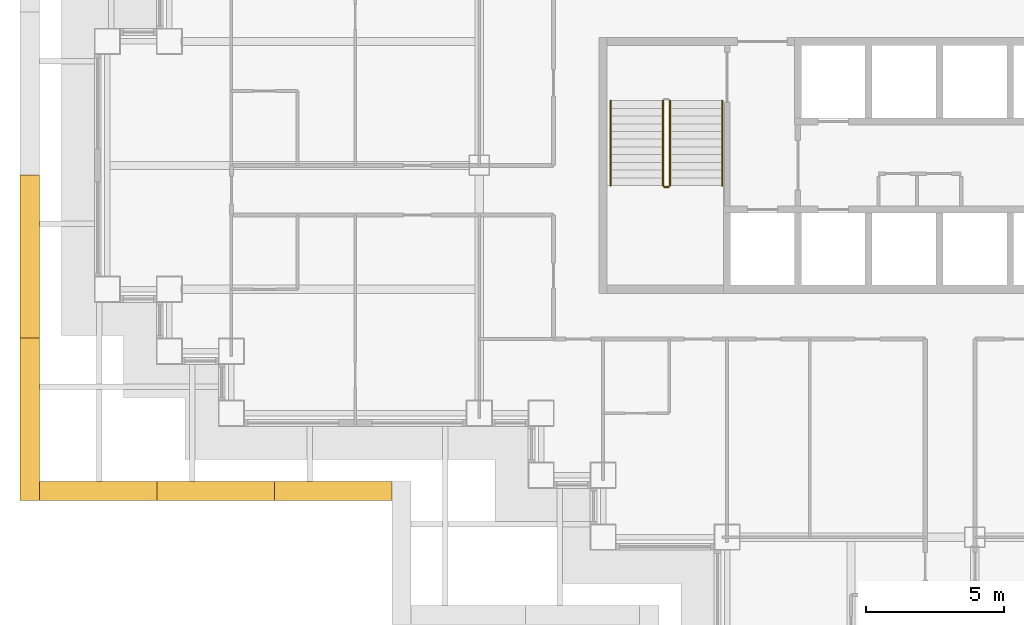
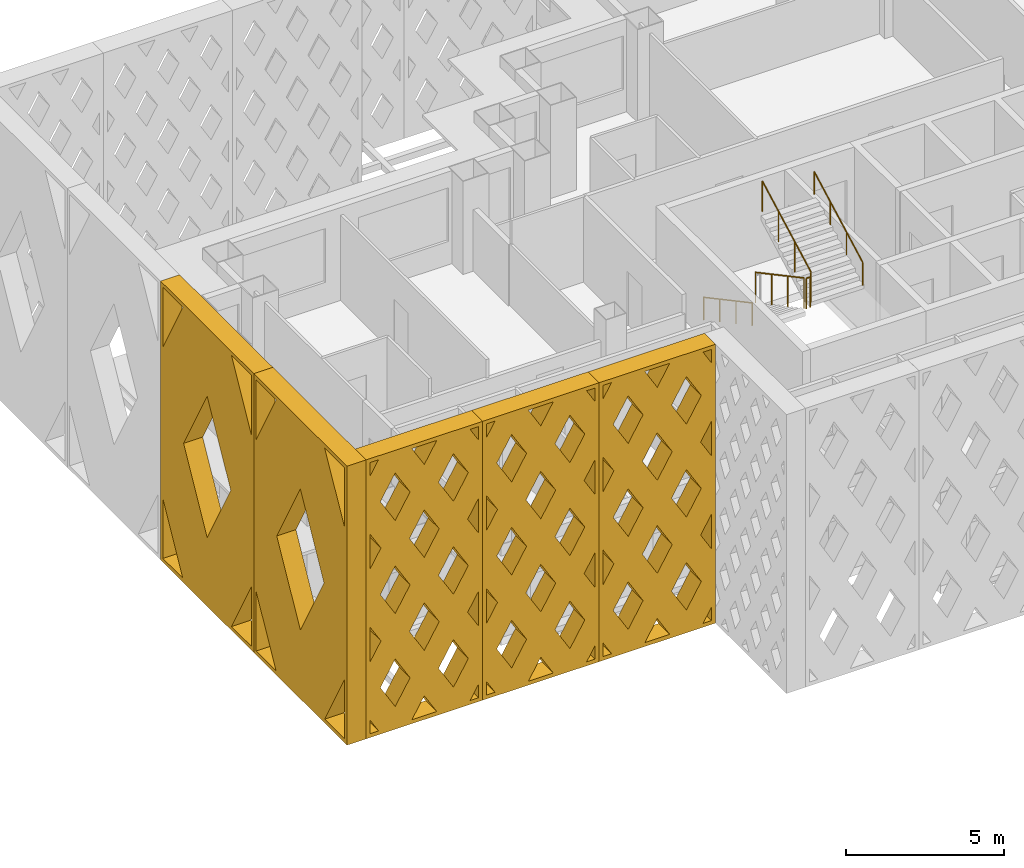
# One storey, part 14 of 19: 5 railings, 5 shading devices.
"""IFC4 building model written with IfcOpenShell, lengths in metres."""

from ifc_helpers import new_model, si_unit, direction, frame, origin, origin_2d, place, context, subcontext, project, spatial, polyline, circle, outline, extrude, material, type_object, element, save


model = new_model("IFC4")

# Units and contexts
model_context = context("Model", 3, precision=1e-05, world=origin(), true_north=direction((0.0, 1.0)))
body_context = subcontext(model_context, "Body", "Model", "MODEL_VIEW")
ifc_project = project(units=[si_unit("LENGTHUNIT", "METRE"), si_unit("AREAUNIT", "SQUARE_METRE"), si_unit("VOLUMEUNIT", "CUBIC_METRE"), si_unit("PLANEANGLEUNIT", "RADIAN"), si_unit("MASSUNIT", "GRAM", prefix="KILO")], contexts=[model_context])

# Site, building, storey
site_placement = place(None, origin())
site = spatial("IfcSite", under=ifc_project, at=site_placement, CompositionType="ELEMENT")
building_placement = place(site_placement, origin())
building = spatial("IfcBuilding", under=site, at=building_placement, Name="Caravel Reach Hotel and Residences", CompositionType="ELEMENT")
storey_placement = place(building_placement, frame((0.0, 0.0, 85.199951171875)))
storey = spatial("IfcBuildingStorey", under=building, at=storey_placement, Name="L20", CompositionType="ELEMENT", Elevation=85.199951171875)

# Shading devices
ifc_material_1 = material(Name="Black powder-coated aluminium", Category="aluminium")
shading_device_type_1 = type_object("IfcShadingDeviceType", Name="Diamond lattice screen panel 4267 x 10800", PredefinedType="USERDEFINED", material=ifc_material_1)
shading_device_1_placement = place(storey_placement, frame((-2.47509765625, 15.52490234375, 0.0), z_axis=(0.0, -1.0, 0.0), x_axis=(1.0, 0.0, 0.0)))
element("IfcShadingDevice", 1, at=shading_device_1_placement, inside=storey, type_object=shading_device_type_1, Name="Lattice screen L20-L22 18.1", ObjectType="SCREEN", PredefinedType="USERDEFINED", context=body_context, shape_type="SweptSolid", body=[
    extrude(outline(polyline([(0.0, 0.0), (4.2666015625, 0.0), (4.2666015625, 10.800048828125), (0.0, 10.800048828125), (0.0, 0.0)]), holes=[polyline([(0.457275390625, 0.14990234375), (0.14990234375, 0.66845703125), (0.14990234375, 0.14990234375), (0.457275390625, 0.14990234375)]), polyline([(0.546142578125, 3.60009765625), (0.14990234375, 4.2685546875), (0.14990234375, 2.931396484375), (0.546142578125, 3.60009765625)]), polyline([(0.546142578125, 7.199951171875), (0.14990234375, 7.868408203125), (0.14990234375, 6.531494140625), (0.546142578125, 7.199951171875)]), polyline([(0.14990234375, 10.131591796875), (0.457275390625, 10.64990234375), (0.14990234375, 10.64990234375), (0.14990234375, 10.131591796875)]), polyline([(1.066650390625, 2.7216796875), (0.5205078125, 1.800048828125), (1.066650390625, 0.87841796875), (1.61279296875, 1.800048828125), (1.066650390625, 2.7216796875)]), polyline([(1.066650390625, 6.321533203125), (0.5205078125, 5.39990234375), (1.066650390625, 4.478271484375), (1.61279296875, 5.39990234375), (1.066650390625, 6.321533203125)]), polyline([(1.066650390625, 9.921630859375), (0.5205078125, 9.0), (1.066650390625, 8.078369140625), (1.61279296875, 9.0), (1.066650390625, 9.921630859375)]), polyline([(2.13330078125, 0.921630859375), (1.676025390625, 0.14990234375), (2.590576171875, 0.14990234375), (2.13330078125, 0.921630859375)]), polyline([(2.13330078125, 4.521728515625), (1.587158203125, 3.60009765625), (2.13330078125, 2.678466796875), (2.679443359375, 3.60009765625), (2.13330078125, 4.521728515625)]), polyline([(2.13330078125, 8.12158203125), (1.587158203125, 7.199951171875), (2.13330078125, 6.2783203125), (2.679443359375, 7.199951171875), (2.13330078125, 8.12158203125)]), polyline([(2.13330078125, 9.87841796875), (2.590576171875, 10.64990234375), (1.676025390625, 10.64990234375), (2.13330078125, 9.87841796875)]), polyline([(3.199951171875, 2.7216796875), (2.65380859375, 1.800048828125), (3.199951171875, 0.87841796875), (3.74609375, 1.800048828125), (3.199951171875, 2.7216796875)]), polyline([(3.199951171875, 6.321533203125), (2.65380859375, 5.39990234375), (3.199951171875, 4.478271484375), (3.74609375, 5.39990234375), (3.199951171875, 6.321533203125)]), polyline([(3.199951171875, 9.921630859375), (2.65380859375, 9.0), (3.199951171875, 8.078369140625), (3.74609375, 9.0), (3.199951171875, 9.921630859375)]), polyline([(4.11669921875, 0.66845703125), (3.809326171875, 0.14990234375), (4.11669921875, 0.14990234375), (4.11669921875, 0.66845703125)]), polyline([(3.720458984375, 3.60009765625), (4.11669921875, 2.931396484375), (4.11669921875, 4.2685546875), (3.720458984375, 3.60009765625)]), polyline([(3.720458984375, 7.199951171875), (4.11669921875, 6.531494140625), (4.11669921875, 7.868408203125), (3.720458984375, 7.199951171875)]), polyline([(3.809326171875, 10.64990234375), (4.11669921875, 10.131591796875), (4.11669921875, 10.64990234375), (3.809326171875, 10.64990234375)])]), origin(), (0.0, 0.0, 1.0), 0.699951171875),
])
shading_device_2_placement = place(storey_placement, frame((1.791748046875, 15.52490234375, 0.0), z_axis=(0.0, -1.0, 0.0), x_axis=(1.0, 0.0, 0.0)))
element("IfcShadingDevice", 2, at=shading_device_2_placement, inside=storey, type_object=shading_device_type_1, Name="Lattice screen L20-L22 18.2", ObjectType="SCREEN", PredefinedType="USERDEFINED", context=body_context, shape_type="SweptSolid", body=[
    extrude(outline(polyline([(0.0, 0.0), (4.2666015625, 0.0), (4.2666015625, 10.800048828125), (0.0, 10.800048828125), (0.0, 0.0)]), holes=[polyline([(0.457275390625, 0.14990234375), (0.14990234375, 0.66845703125), (0.14990234375, 0.14990234375), (0.457275390625, 0.14990234375)]), polyline([(0.546142578125, 3.60009765625), (0.14990234375, 4.2685546875), (0.14990234375, 2.931396484375), (0.546142578125, 3.60009765625)]), polyline([(0.546142578125, 7.199951171875), (0.14990234375, 7.868408203125), (0.14990234375, 6.531494140625), (0.546142578125, 7.199951171875)]), polyline([(0.14990234375, 10.131591796875), (0.457275390625, 10.64990234375), (0.14990234375, 10.64990234375), (0.14990234375, 10.131591796875)]), polyline([(1.066650390625, 2.7216796875), (0.5205078125, 1.800048828125), (1.066650390625, 0.87841796875), (1.61279296875, 1.800048828125), (1.066650390625, 2.7216796875)]), polyline([(1.066650390625, 6.321533203125), (0.5205078125, 5.39990234375), (1.066650390625, 4.478271484375), (1.61279296875, 5.39990234375), (1.066650390625, 6.321533203125)]), polyline([(1.066650390625, 9.921630859375), (0.5205078125, 9.0), (1.066650390625, 8.078369140625), (1.61279296875, 9.0), (1.066650390625, 9.921630859375)]), polyline([(2.13330078125, 0.921630859375), (1.676025390625, 0.14990234375), (2.590576171875, 0.14990234375), (2.13330078125, 0.921630859375)]), polyline([(2.13330078125, 4.521728515625), (1.587158203125, 3.60009765625), (2.13330078125, 2.678466796875), (2.679443359375, 3.60009765625), (2.13330078125, 4.521728515625)]), polyline([(2.13330078125, 8.12158203125), (1.587158203125, 7.199951171875), (2.13330078125, 6.2783203125), (2.679443359375, 7.199951171875), (2.13330078125, 8.12158203125)]), polyline([(2.13330078125, 9.87841796875), (2.590576171875, 10.64990234375), (1.676025390625, 10.64990234375), (2.13330078125, 9.87841796875)]), polyline([(3.199951171875, 2.7216796875), (2.65380859375, 1.800048828125), (3.199951171875, 0.87841796875), (3.74609375, 1.800048828125), (3.199951171875, 2.7216796875)]), polyline([(3.199951171875, 6.321533203125), (2.65380859375, 5.39990234375), (3.199951171875, 4.478271484375), (3.74609375, 5.39990234375), (3.199951171875, 6.321533203125)]), polyline([(3.199951171875, 9.921630859375), (2.65380859375, 9.0), (3.199951171875, 8.078369140625), (3.74609375, 9.0), (3.199951171875, 9.921630859375)]), polyline([(4.11669921875, 0.66845703125), (3.809326171875, 0.14990234375), (4.11669921875, 0.14990234375), (4.11669921875, 0.66845703125)]), polyline([(3.720458984375, 3.60009765625), (4.11669921875, 2.931396484375), (4.11669921875, 4.2685546875), (3.720458984375, 3.60009765625)]), polyline([(3.720458984375, 7.199951171875), (4.11669921875, 6.531494140625), (4.11669921875, 7.868408203125), (3.720458984375, 7.199951171875)]), polyline([(3.809326171875, 10.64990234375), (4.11669921875, 10.131591796875), (4.11669921875, 10.64990234375), (3.809326171875, 10.64990234375)])]), origin(), (0.0, 0.0, 1.0), 0.699951171875),
])
shading_device_3_placement = place(storey_placement, frame((6.058349609375, 15.52490234375, 0.0), z_axis=(0.0, -1.0, 0.0), x_axis=(1.0, 0.0, 0.0)))
element("IfcShadingDevice", 3, at=shading_device_3_placement, inside=storey, type_object=shading_device_type_1, Name="Lattice screen L20-L22 18.3", ObjectType="SCREEN", PredefinedType="USERDEFINED", context=body_context, shape_type="SweptSolid", body=[
    extrude(outline(polyline([(0.0, 0.0), (4.2666015625, 0.0), (4.2666015625, 10.800048828125), (0.0, 10.800048828125), (0.0, 0.0)]), holes=[polyline([(0.457275390625, 0.14990234375), (0.14990234375, 0.66845703125), (0.14990234375, 0.14990234375), (0.457275390625, 0.14990234375)]), polyline([(0.546142578125, 3.60009765625), (0.14990234375, 4.2685546875), (0.14990234375, 2.931396484375), (0.546142578125, 3.60009765625)]), polyline([(0.546142578125, 7.199951171875), (0.14990234375, 7.868408203125), (0.14990234375, 6.531494140625), (0.546142578125, 7.199951171875)]), polyline([(0.14990234375, 10.131591796875), (0.457275390625, 10.64990234375), (0.14990234375, 10.64990234375), (0.14990234375, 10.131591796875)]), polyline([(1.066650390625, 2.7216796875), (0.5205078125, 1.800048828125), (1.066650390625, 0.87841796875), (1.61279296875, 1.800048828125), (1.066650390625, 2.7216796875)]), polyline([(1.066650390625, 6.321533203125), (0.5205078125, 5.39990234375), (1.066650390625, 4.478271484375), (1.61279296875, 5.39990234375), (1.066650390625, 6.321533203125)]), polyline([(1.066650390625, 9.921630859375), (0.5205078125, 9.0), (1.066650390625, 8.078369140625), (1.61279296875, 9.0), (1.066650390625, 9.921630859375)]), polyline([(2.13330078125, 0.921630859375), (1.676025390625, 0.14990234375), (2.590576171875, 0.14990234375), (2.13330078125, 0.921630859375)]), polyline([(2.13330078125, 4.521728515625), (1.587158203125, 3.60009765625), (2.13330078125, 2.678466796875), (2.679443359375, 3.60009765625), (2.13330078125, 4.521728515625)]), polyline([(2.13330078125, 8.12158203125), (1.587158203125, 7.199951171875), (2.13330078125, 6.2783203125), (2.679443359375, 7.199951171875), (2.13330078125, 8.12158203125)]), polyline([(2.13330078125, 9.87841796875), (2.590576171875, 10.64990234375), (1.676025390625, 10.64990234375), (2.13330078125, 9.87841796875)]), polyline([(3.199951171875, 2.7216796875), (2.65380859375, 1.800048828125), (3.199951171875, 0.87841796875), (3.74609375, 1.800048828125), (3.199951171875, 2.7216796875)]), polyline([(3.199951171875, 6.321533203125), (2.65380859375, 5.39990234375), (3.199951171875, 4.478271484375), (3.74609375, 5.39990234375), (3.199951171875, 6.321533203125)]), polyline([(3.199951171875, 9.921630859375), (2.65380859375, 9.0), (3.199951171875, 8.078369140625), (3.74609375, 9.0), (3.199951171875, 9.921630859375)]), polyline([(4.11669921875, 0.66845703125), (3.809326171875, 0.14990234375), (4.11669921875, 0.14990234375), (4.11669921875, 0.66845703125)]), polyline([(3.720458984375, 3.60009765625), (4.11669921875, 2.931396484375), (4.11669921875, 4.2685546875), (3.720458984375, 3.60009765625)]), polyline([(3.720458984375, 7.199951171875), (4.11669921875, 6.531494140625), (4.11669921875, 7.868408203125), (3.720458984375, 7.199951171875)]), polyline([(3.809326171875, 10.64990234375), (4.11669921875, 10.131591796875), (4.11669921875, 10.64990234375), (3.809326171875, 10.64990234375)])]), origin(), (0.0, 0.0, 1.0), 0.699951171875),
])
ifc_material_2 = material(Name="Black powder-coated aluminium", Category="aluminium")
shading_device_type_2 = type_object("IfcShadingDeviceType", Name="Diamond lattice screen panel 5913 x 10800", PredefinedType="USERDEFINED", material=ifc_material_2)
for number, where, z_axis, x_axis, name in (
    (4, (-2.47509765625, 26.64990234375, 0.0), (-1.0, 0.0, 0.0), (0.0, -1.0, 0.0), "Lattice screen L20-L22 17.3"),
    (5, (-2.47509765625, 20.737548828125, 0.0), (-1.0, 0.0, 0.0), (0.0, -1.0, 0.0), "Lattice screen L20-L22 17.4"),
):
    element("IfcShadingDevice", number, at=place(storey_placement, frame(where, z_axis=z_axis, x_axis=x_axis)), inside=storey, type_object=shading_device_type_2, Name=name, ObjectType="SCREEN", PredefinedType="USERDEFINED", context=body_context, shape_type="SweptSolid", body=[
        extrude(outline(polyline([(0.0, 0.0), (5.91259765625, 0.0), (5.91259765625, 10.800048828125), (0.0, 10.800048828125), (0.0, 0.0)]), holes=[polyline([(1.415771484375, 0.14990234375), (0.14990234375, 2.4619140625), (0.14990234375, 0.14990234375), (1.415771484375, 0.14990234375)]), polyline([(0.14990234375, 8.338134765625), (1.415771484375, 10.64990234375), (0.14990234375, 10.64990234375), (0.14990234375, 8.338134765625)]), polyline([(2.956298828125, 8.135986328125), (1.45849609375, 5.39990234375), (2.956298828125, 2.6640625), (4.4541015625, 5.39990234375), (2.956298828125, 8.135986328125)]), polyline([(5.762451171875, 2.4619140625), (4.496826171875, 0.14990234375), (5.762451171875, 0.14990234375), (5.762451171875, 2.4619140625)]), polyline([(4.496826171875, 10.64990234375), (5.762451171875, 8.338134765625), (5.762451171875, 10.64990234375), (4.496826171875, 10.64990234375)])]), origin(), (0.0, 0.0, 1.0), 0.699951171875),
    ])

# Railings
ifc_material_3 = material(Name="Steel balustrade with glass infill", Category="steel")
railing_type_1 = type_object("IfcRailingType", Name="Guard 1200", PredefinedType="GUARDRAIL", material=ifc_material_3)
railing_1_placement = place(storey_placement, frame((20.175048828125, 29.35009765625, 0.150146484375)))
element("IfcRailing", 6, at=railing_1_placement, inside=storey, type_object=railing_type_1, Name="L20 ST-A stair guard 1", PredefinedType="GUARDRAIL", context=body_context, shape_type="SweptSolid", body=[
    extrude(circle(Radius=0.02392578125, at=origin_2d()), frame((0.0, 0.0, 1.17578125), z_axis=(0.0, -0.881496589024, 0.472190389079), x_axis=(1.0, 0.0, 0.0)), (0.0, 0.0, 1.0), 3.494140625),
    extrude(circle(Radius=0.02099609375, at=origin_2d()), origin(), (0.0, 0.0, 1.0), 1.15185546875),
    extrude(circle(Radius=0.02099609375, at=origin_2d()), frame((0.0, -1.026611328125, 0.550048828125)), (0.0, 0.0, 1.0), 1.15185546875),
    extrude(circle(Radius=0.02099609375, at=origin_2d()), frame((0.0, -2.053466796875, 1.099853515625)), (0.0, 0.0, 1.0), 1.15185546875),
    extrude(circle(Radius=0.02099609375, at=origin_2d()), frame((0.0, -3.080078125, 1.64990234375)), (0.0, 0.0, 1.0), 1.15185546875),
])
railing_2_placement = place(storey_placement, frame((20.22509765625, 26.219970703125, 1.800048828125)))
element("IfcRailing", 7, at=railing_2_placement, inside=storey, type_object=railing_type_1, Name="L20 ST-A stair guard 2", PredefinedType="GUARDRAIL", context=body_context, shape_type="SweptSolid", body=[
    extrude(circle(Radius=0.02392578125, at=origin_2d()), frame((0.0, 0.0, 1.17578125), z_axis=(1.0, 0.0, 0.0), x_axis=(0.0, 1.0, 0.0)), (0.0, 0.0, 1.0), 0.14990234375),
    extrude(circle(Radius=0.02099609375, at=origin_2d()), origin(), (0.0, 0.0, 1.0), 1.15185546875),
    extrude(circle(Radius=0.02099609375, at=origin_2d()), frame((0.14990234375, 0.0, 0.0)), (0.0, 0.0, 1.0), 1.15185546875),
])
railing_3_placement = place(storey_placement, frame((20.425048828125, 26.27001953125, 1.949951171875)))
element("IfcRailing", 8, at=railing_3_placement, inside=storey, type_object=railing_type_1, Name="L20 ST-A stair guard 3", PredefinedType="GUARDRAIL", context=body_context, shape_type="SweptSolid", body=[
    extrude(circle(Radius=0.02392578125, at=origin_2d()), frame((0.0, 0.0, 1.17578125), z_axis=(0.0, 0.881467505477, 0.472244678941), x_axis=(-1.0, 0.0, 0.0)), (0.0, 0.0, 1.0), 3.494140625),
    extrude(circle(Radius=0.02099609375, at=origin_2d()), origin(), (0.0, 0.0, 1.0), 1.15185546875),
    extrude(circle(Radius=0.02099609375, at=origin_2d()), frame((0.0, 1.026611328125, 0.550048828125)), (0.0, 0.0, 1.0), 1.15185546875),
    extrude(circle(Radius=0.02099609375, at=origin_2d()), frame((0.0, 2.053466796875, 1.10009765625)), (0.0, 0.0, 1.0), 1.15185546875),
    extrude(circle(Radius=0.02099609375, at=origin_2d()), frame((0.0, 3.080078125, 1.650146484375)), (0.0, 0.0, 1.0), 1.15185546875),
])
ifc_material_4 = material(Name="Stainless steel handrail", Category="steel")
railing_type_2 = type_object("IfcRailingType", Name="Handrail 900", PredefinedType="HANDRAIL", material=ifc_material_4)
railing_4_placement = place(storey_placement, frame((18.27490234375, 29.35009765625, 0.150146484375)))
element("IfcRailing", 9, at=railing_4_placement, inside=storey, type_object=railing_type_2, Name="L20 ST-A stair handrail 1", PredefinedType="HANDRAIL", context=body_context, shape_type="SweptSolid", body=[
    extrude(circle(Radius=0.02392578125, at=origin_2d()), frame((0.0, 0.0, 0.8759765625), z_axis=(0.0, -0.881496589024, 0.472190389079), x_axis=(1.0, 0.0, 0.0)), (0.0, 0.0, 1.0), 3.494140625),
    extrude(circle(Radius=0.02099609375, at=origin_2d()), origin(), (0.0, 0.0, 1.0), 0.851806640625),
    extrude(circle(Radius=0.02099609375, at=origin_2d()), frame((0.0, -1.026611328125, 0.550048828125)), (0.0, 0.0, 1.0), 0.851806640625),
    extrude(circle(Radius=0.02099609375, at=origin_2d()), frame((0.0, -2.053466796875, 1.099853515625)), (0.0, 0.0, 1.0), 0.851806640625),
    extrude(circle(Radius=0.02099609375, at=origin_2d()), frame((0.0, -3.080078125, 1.64990234375)), (0.0, 0.0, 1.0), 0.851806640625),
])
railing_5_placement = place(storey_placement, frame((22.324951171875, 26.27001953125, 1.949951171875)))
element("IfcRailing", 10, at=railing_5_placement, inside=storey, type_object=railing_type_2, Name="L20 ST-A stair handrail 2", PredefinedType="HANDRAIL", context=body_context, shape_type="SweptSolid", body=[
    extrude(circle(Radius=0.02392578125, at=origin_2d()), frame((0.0, 0.0, 0.8759765625), z_axis=(0.0, 0.881467505477, 0.472244678941), x_axis=(-1.0, 0.0, 0.0)), (0.0, 0.0, 1.0), 3.494140625),
    extrude(circle(Radius=0.02099609375, at=origin_2d()), origin(), (0.0, 0.0, 1.0), 0.851806640625),
    extrude(circle(Radius=0.02099609375, at=origin_2d()), frame((0.0, 1.026611328125, 0.550048828125)), (0.0, 0.0, 1.0), 0.851806640625),
    extrude(circle(Radius=0.02099609375, at=origin_2d()), frame((0.0, 2.053466796875, 1.10009765625)), (0.0, 0.0, 1.0), 0.851806640625),
    extrude(circle(Radius=0.02099609375, at=origin_2d()), frame((0.0, 3.080078125, 1.650146484375)), (0.0, 0.0, 1.0), 0.851806640625),
])

save(model, "model.ifc")
